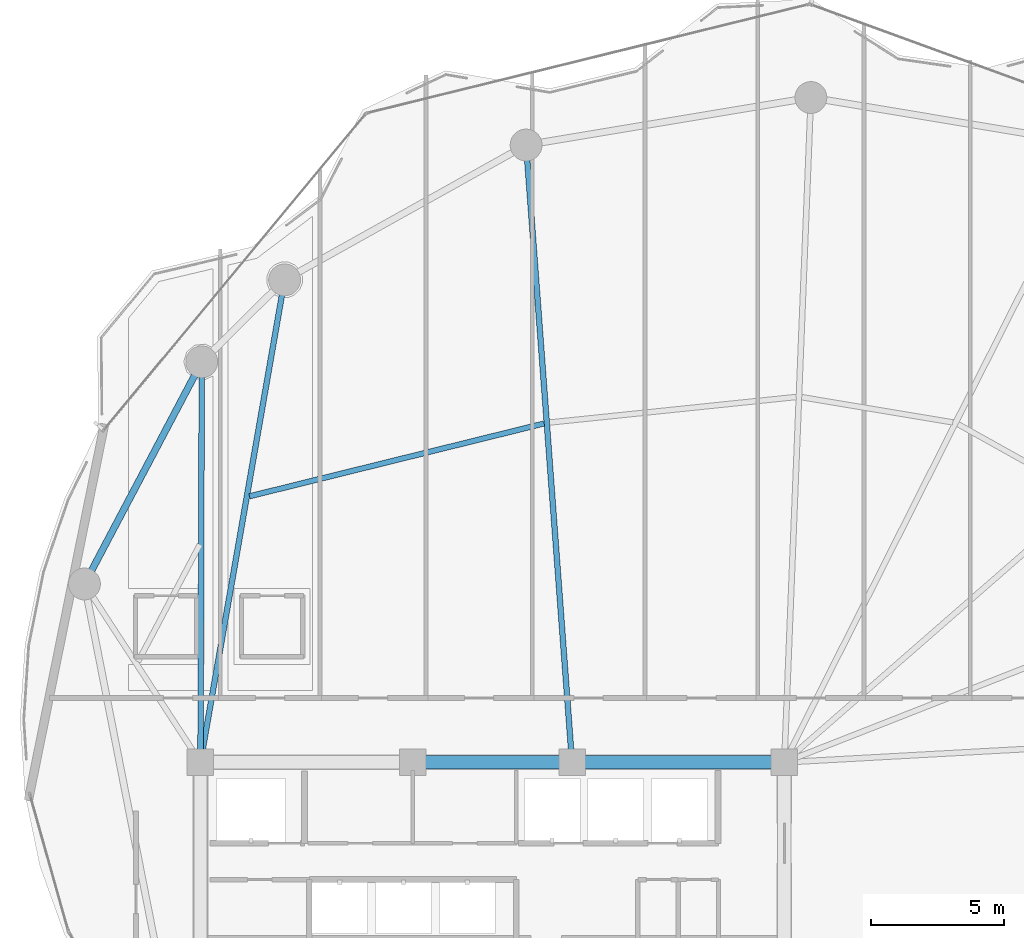
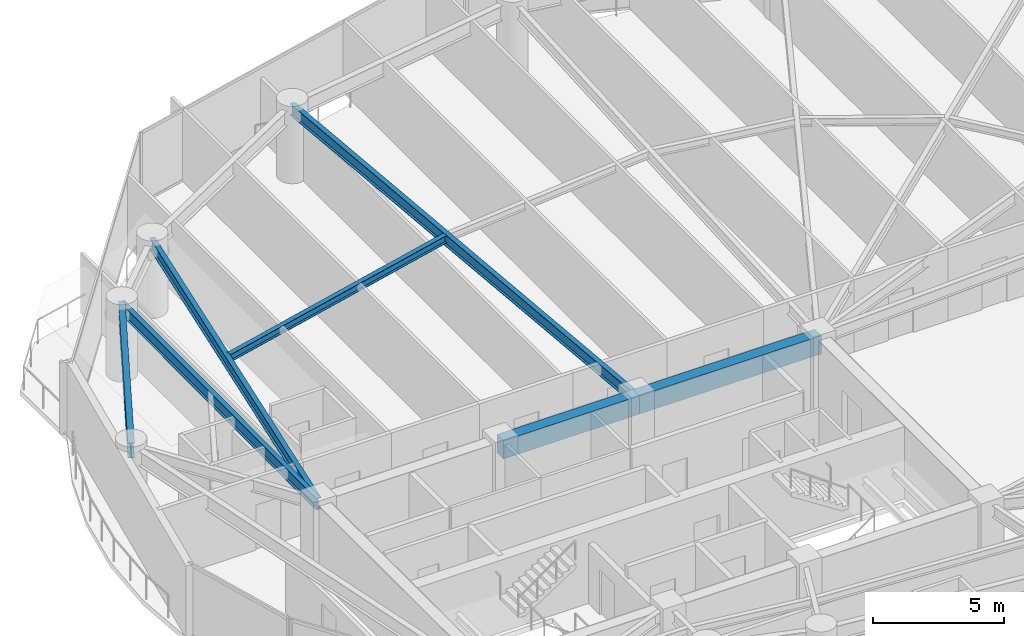
# One storey, part 8 of 28: 7 beams.
"""IFC4 building model written with IfcOpenShell, lengths in metres."""

import ifcopenshell
import ifcopenshell.guid

model = None  # the IFC model being written
_history = None  # IfcOwnerHistory: only IFC2X3 demands one
_inside = {}  # id of a spatial element -> (the spatial element, [elements in it])
_under = {}  # id of a project, library or spatial element -> (it, [spatial elements below it])
_declared = {}  # id of a project -> (the project, [libraries it declares])
_typed = {}  # id of a type object -> (the type object, [elements of that type])
_made_of = {}  # id of a material, layer set ... -> (it, [elements and type objects made of it])


def new_model(schema):
    """Start an empty IFC model of exactly this schema.

    Asked for "IFC4X3", IfcOpenShell would pick the latest addendum, in which some entities
    have other attributes; the version numbers below select the first issue.
    IFC2X3 requires an IfcOwnerHistory on every rooted entity: one is made here for all.
    """
    global model, _history
    if schema == "IFC4X3":
        model = ifcopenshell.file(schema_version=(4, 3, 0, 0))
    else:
        model = ifcopenshell.file(schema=schema)
    _inside.clear()
    _under.clear()
    _declared.clear()
    _typed.clear()
    _made_of.clear()
    _history = None
    if model.schema == "IFC2X3":
        org = make("IfcOrganization", Name="unknown")
        user = make(
            "IfcPersonAndOrganization",
            ThePerson=make("IfcPerson", FamilyName="unknown"),
            TheOrganization=org,
        )
        app = make(
            "IfcApplication",
            ApplicationDeveloper=org,
            Version="unknown",
            ApplicationFullName="unknown",
            ApplicationIdentifier="unknown",
        )
        _history = make(
            "IfcOwnerHistory",
            OwningUser=user,
            OwningApplication=app,
            ChangeAction="ADDED",
            CreationDate=0,
        )
    return model


def make(cls, **values):
    """One entity of the class cls with the attributes given. An attribute that is None is left unset."""
    return model.create_entity(
        cls, **{name: value for name, value in values.items() if value is not None}
    )


def rooted(cls, **values):
    """An entity with a GlobalId (a new one), such as an element, a storey or a relation."""
    return make(cls, GlobalId=ifcopenshell.guid.new(), OwnerHistory=_history, **values)


def si_unit(unit_type, name, prefix=None):
    """IfcSIUnit, for example si_unit("LENGTHUNIT", "METRE", prefix="MILLI")."""
    return make("IfcSIUnit", UnitType=unit_type, Prefix=prefix, Name=name)


def assignment(units):
    """IfcUnitAssignment: the units of a project."""
    return None if units is None else make("IfcUnitAssignment", Units=units)


def point(xyz):
    """IfcCartesianPoint."""
    return None if xyz is None else make("IfcCartesianPoint", Coordinates=xyz)


def direction(xyz):
    """IfcDirection."""
    return None if xyz is None else make("IfcDirection", DirectionRatios=xyz)


def frame(location, z_axis=None, x_axis=None):
    """IfcAxis2Placement3D, a coordinate frame: its origin and axes. An axis left out is left unset."""
    return make(
        "IfcAxis2Placement3D",
        Location=point(location),
        Axis=direction(z_axis),
        RefDirection=direction(x_axis),
    )


def frame_2d(location, x_axis=None):
    """IfcAxis2Placement2D, a coordinate frame in the plane: its origin and x axis."""
    return make(
        "IfcAxis2Placement2D", Location=point(location), RefDirection=direction(x_axis)
    )


def origin():
    """The frame at (0, 0, 0) with its axes left unset."""
    return frame((0.0, 0.0, 0.0))


def origin_2d():
    """The frame at (0, 0) in the plane with its x axis left unset."""
    return frame_2d((0.0, 0.0))


def place(relative_to, where):
    """IfcLocalPlacement: puts the frame where relative to a parent placement (None: the world)."""
    return make(
        "IfcLocalPlacement", PlacementRelTo=relative_to, RelativePlacement=where
    )


def context(
    kind, dimensions, precision=None, world=None, true_north=None, identifier=None
):
    """IfcGeometricRepresentationContext, for example the 3D "Model" context."""
    return make(
        "IfcGeometricRepresentationContext",
        ContextIdentifier=identifier,
        ContextType=kind,
        CoordinateSpaceDimension=dimensions,
        Precision=precision,
        WorldCoordinateSystem=world,
        TrueNorth=true_north,
    )


def subcontext(parent, identifier, kind, view, scale=None):
    """IfcGeometricRepresentationSubContext, for example "Body" below "Model"."""
    return make(
        "IfcGeometricRepresentationSubContext",
        ContextIdentifier=identifier,
        ContextType=kind,
        ParentContext=parent,
        TargetScale=scale,
        TargetView=view,
    )


def project(units=None, contexts=None):
    """IfcProject with its units and contexts."""
    return rooted(
        "IfcProject",
        Name="project",
        RepresentationContexts=contexts,
        UnitsInContext=assignment(units),
    )


def spatial(cls, under=None, at=None, **own):
    """A site, building, storey or space (cls), placed at a placement, below another one or the project."""
    s = rooted(cls, ObjectPlacement=at, **own)
    if under is not None:
        _under.setdefault(under.id(), (under, []))[1].append(s)
    return s


def profile(cls, at=None, kind="AREA", **sizes):
    """A parametric profile (cls). Its sizes go by their IFC names, for example OverallWidth=200.0."""
    return make(cls, ProfileType=kind, Position=at, **sizes)


def rectangle(**sizes):
    """IfcRectangleProfileDef."""
    return profile("IfcRectangleProfileDef", **sizes)


def i_section(**sizes):
    """IfcIShapeProfileDef."""
    return profile("IfcIShapeProfileDef", **sizes)


def extrude(swept, where, along, depth):
    """IfcExtrudedAreaSolid: the profile swept, set in the frame where, extruded along a direction by depth."""
    return make(
        "IfcExtrudedAreaSolid",
        SweptArea=swept,
        Position=where,
        ExtrudedDirection=direction(along),
        Depth=depth,
    )


def shape(context_of_items, identifier, shape_type, items):
    """IfcShapeRepresentation: the items that make up one representation, for example the "Body"."""
    return make(
        "IfcShapeRepresentation",
        ContextOfItems=context_of_items,
        RepresentationIdentifier=identifier,
        RepresentationType=shape_type,
        Items=items,
    )


def material(Name=None, Category=None):
    """IfcMaterial."""
    return make("IfcMaterial", Name=Name, Category=Category)


def material_profile(
    of_material, cross_section, Name=None, Category=None, Priority=None
):
    """IfcMaterialProfile: a cross section and its material."""
    return make(
        "IfcMaterialProfile",
        Name=Name,
        Material=of_material,
        Profile=cross_section,
        Priority=Priority,
        Category=Category,
    )


def profile_set(profiles, Name=None, composite=None):
    """IfcMaterialProfileSet."""
    return make(
        "IfcMaterialProfileSet",
        Name=Name,
        MaterialProfiles=profiles,
        CompositeProfile=composite,
    )


def made_of(thing, what):
    """Note that an element or type object is made of a material, layer set ...; save() writes the relation."""
    if what is not None:
        _made_of.setdefault(what.id(), (what, []))[1].append(thing)
    return thing


def type_object(cls, material=None, **own):
    """A type object (cls), such as IfcWallType, which elements share."""
    return made_of(rooted(cls, **own), material)


def element(
    cls,
    number,
    at=None,
    inside=None,
    cuts=None,
    type_object=None,
    material=None,
    context=None,
    identifier="Body",
    shape_type=None,
    held_by="IfcProductDefinitionShape",
    body=None,
    shapes=None,
    **own,
):
    """One element of the class cls, such as IfcWall. Its Tag is "e" and its number.

    at: its placement. inside: the storey or other place that contains it. cuts: it is an
    opening in that element (IfcRelVoidsElement). A single representation is given by context,
    identifier, shape_type and body (its items); several are given by shapes. held_by: the class
    of the entity that holds the representations. save() writes the other relations.
    """
    e = rooted(cls, Tag="e%d" % number, ObjectPlacement=at, **own)
    if body is not None:
        shapes = [shape(context, identifier, shape_type, body)]
    if shapes is not None:
        e.Representation = make(held_by, Representations=shapes)
    if inside is not None:
        _inside.setdefault(inside.id(), (inside, []))[1].append(e)
    if cuts is not None:
        rooted(
            "IfcRelVoidsElement", RelatingBuildingElement=cuts, RelatedOpeningElement=e
        )
    if type_object is not None:
        _typed.setdefault(type_object.id(), (type_object, []))[1].append(e)
    return made_of(e, material)


def aggregate(whole, parts):
    """IfcRelAggregates: a whole, such as a stair, and the parts it consists of."""
    return rooted("IfcRelAggregates", RelatingObject=whole, RelatedObjects=parts)


def save(model, path):
    """Write the relations noted so far, then the file.

    IfcRelAggregates (storeys below a building ...), IfcRelContainedInSpatialStructure (elements
    in a storey), IfcRelDefinesByType, IfcRelAssociatesMaterial and IfcRelDeclares: one each for
    every whole, place, type object, material and project.
    """
    for whole, parts in _under.values():
        aggregate(whole, parts)
    for where, things in _inside.values():
        rooted(
            "IfcRelContainedInSpatialStructure",
            RelatedElements=things,
            RelatingStructure=where,
        )
    for kind, things in _typed.values():
        rooted("IfcRelDefinesByType", RelatedObjects=things, RelatingType=kind)
    for what, things in _made_of.values():
        rooted("IfcRelAssociatesMaterial", RelatedObjects=things, RelatingMaterial=what)
    for by, libraries in _declared.values():
        rooted("IfcRelDeclares", RelatingContext=by, RelatedDefinitions=libraries)
    model.write(path)


model = new_model("IFC4")

# Units and contexts
model_context = context("Model", 3, precision=1e-05, world=origin(), true_north=direction((0.0, 1.0)))
body_context = subcontext(model_context, "Body", "Model", "MODEL_VIEW")
ifc_project = project(units=[si_unit("LENGTHUNIT", "METRE"), si_unit("AREAUNIT", "SQUARE_METRE"), si_unit("VOLUMEUNIT", "CUBIC_METRE"), si_unit("PLANEANGLEUNIT", "RADIAN"), si_unit("MASSUNIT", "GRAM", prefix="KILO")], contexts=[model_context])

# Site, building, storey
site_placement = place(None, origin())
site = spatial("IfcSite", under=ifc_project, at=site_placement, CompositionType="ELEMENT")
building_placement = place(site_placement, origin())
building = spatial("IfcBuilding", under=site, at=building_placement, Name="Kazevale Care Tower and Concert Hall", CompositionType="ELEMENT")
storey_placement = place(building_placement, frame((0.0, 0.0, 138.60009765625)))
storey = spatial("IfcBuildingStorey", under=building, at=storey_placement, Name="L36", CompositionType="ELEMENT", Elevation=138.60009765625)

# Beams
ifc_material_1 = material(Name="Concrete C60", Category="concrete")
ifc_material_profile_1 = material_profile(ifc_material_1, rectangle(XDim=0.5, YDim=0.85009765625, at=origin_2d()), Name="RC-B500x850")
ifc_profile_set_1 = profile_set([ifc_material_profile_1], Name="Concrete C60")
beam_type_1 = type_object("IfcBeamType", Name="Core Coupling Beam RC500x850", PredefinedType="LINTEL", material=ifc_profile_set_1)
beam_1_placement = place(storey_placement, frame((44.0, 36.39990234375, 2.934814453125), z_axis=(-1.0, 0.0, 0.0), x_axis=(0.0, -1.0, 0.0)))
element("IfcBeam", 1, at=beam_1_placement, inside=storey, type_object=beam_type_1, Name="beam:L36:coretie:5", PredefinedType="LINTEL", context=body_context, shape_type="SweptSolid", body=[
    extrude(rectangle(XDim=0.5, YDim=0.85009765625, at=origin_2d()), origin(), (0.0, 0.0, 1.0), 8.0),
])
beam_2_placement = place(storey_placement, frame((36.0, 36.39990234375, 2.934814453125), z_axis=(-1.0, 0.0, 0.0), x_axis=(0.0, -1.0, 0.0)))
element("IfcBeam", 2, at=beam_2_placement, inside=storey, type_object=beam_type_1, Name="beam:L36:coretie:6", PredefinedType="LINTEL", context=body_context, shape_type="SweptSolid", body=[
    extrude(rectangle(XDim=0.5, YDim=0.85009765625, at=origin_2d()), origin(), (0.0, 0.0, 1.0), 6.0),
])
ifc_material_2 = material(Name="Steel ASTM A572 Gr 50", Category="steel")
ifc_material_profile_2 = material_profile(ifc_material_2, i_section(OverallWidth=0.2119140625, OverallDepth=0.5439453125, WebThickness=0.01318359375, FlangeThickness=0.021240234375, at=origin_2d()), Name="W530x123")
ifc_profile_set_2 = profile_set([ifc_material_profile_2], Name="Steel ASTM A572 Gr 50")
beam_type_2 = type_object("IfcBeamType", Name="Radial Floor Girder W530x123", PredefinedType="BEAM", material=ifc_profile_set_2)
beam_3_placement = place(storey_placement, frame((36.0, 36.39990234375, 3.087890625), z_axis=(-0.074170876808, 0.997245547011, 0.0), x_axis=(-0.997245547011, -0.074170876808, 0.0)))
element("IfcBeam", 3, at=beam_3_placement, inside=storey, type_object=beam_type_2, Name="beam:L36:rad:06", PredefinedType="BEAM", context=body_context, shape_type="SweptSolid", body=[
    extrude(i_section(OverallWidth=0.2119140625, OverallDepth=0.5439453125, WebThickness=0.01318359375, FlangeThickness=0.021240234375, at=origin_2d()), origin(), (0.0, 0.0, 1.0), 23.32421875),
])
beam_4_placement = place(storey_placement, frame((22.0, 36.39990234375, 3.087890625), z_axis=(0.171769935245, 0.985137091651, 0.0), x_axis=(-0.985137091651, 0.171769935245, 0.0)))
element("IfcBeam", 4, at=beam_4_placement, inside=storey, type_object=beam_type_2, Name="beam:L36:rad:07", PredefinedType="BEAM", context=body_context, shape_type="SweptSolid", body=[
    extrude(i_section(OverallWidth=0.2119140625, OverallDepth=0.5439453125, WebThickness=0.01318359375, FlangeThickness=0.021240234375, at=origin_2d()), origin(), (0.0, 0.0, 1.0), 18.454345703125),
])
beam_5_placement = place(storey_placement, frame((22.0, 36.39990234375, 3.087890625), z_axis=(0.003316650851, 0.999994499898, 0.0), x_axis=(-0.999994499898, 0.003316650851, 0.0)))
element("IfcBeam", 5, at=beam_5_placement, inside=storey, type_object=beam_type_2, Name="beam:L36:rad:08", PredefinedType="BEAM", context=body_context, shape_type="SweptSolid", body=[
    extrude(i_section(OverallWidth=0.2119140625, OverallDepth=0.5439453125, WebThickness=0.01318359375, FlangeThickness=0.021240234375, at=origin_2d()), origin(), (0.0, 0.0, 1.0), 15.090087890625),
])
ifc_material_profile_3 = material_profile(ifc_material_2, i_section(OverallWidth=0.205078125, OverallDepth=0.35400390625, WebThickness=0.009521484375, FlangeThickness=0.016845703125, at=origin_2d()), Name="W360x79")
ifc_profile_set_3 = profile_set([ifc_material_profile_3], Name="Steel ASTM A572 Gr 50")
beam_type_3 = type_object("IfcBeamType", Name="Secondary Floor Joist W360x79", PredefinedType="JOIST", material=ifc_profile_set_3)
beam_6_placement = place(storey_placement, frame((34.947021484375, 49.16796875, 3.182861328125), z_axis=(-0.970789504014, -0.239932779954, 0.0), x_axis=(0.239932779954, -0.970789504014, 0.0)))
element("IfcBeam", 6, at=beam_6_placement, inside=storey, type_object=beam_type_3, Name="beam:L36:joist:06", PredefinedType="JOIST", context=body_context, shape_type="SweptSolid", body=[
    extrude(i_section(OverallWidth=0.205078125, OverallDepth=0.35400390625, WebThickness=0.009521484375, FlangeThickness=0.016845703125, at=origin_2d()), origin(), (0.0, 0.0, 1.0), 11.43603515625),
])
ifc_material_profile_4 = material_profile(ifc_material_2, i_section(OverallWidth=0.256103515625, OverallDepth=0.693115234375, WebThickness=0.014404296875, FlangeThickness=0.023681640625, at=origin_2d()), Name="W690x170")
ifc_profile_set_4 = profile_set([ifc_material_profile_4], Name="Steel ASTM A572 Gr 50")
beam_type_4 = type_object("IfcBeamType", Name="Waist Ring Beam W690x170", PredefinedType="BEAM", material=ifc_profile_set_4)
beam_7_placement = place(storey_placement, frame((22.050048828125, 51.489990234375, 3.013427734375), z_axis=(-0.466984438127, -0.884265533959, 0.0), x_axis=(0.884265533959, -0.466984438127, 0.0)))
element("IfcBeam", 7, at=beam_7_placement, inside=storey, type_object=beam_type_4, Name="beam:L36:ring:08", PredefinedType="BEAM", context=body_context, shape_type="SweptSolid", body=[
    extrude(i_section(OverallWidth=0.256103515625, OverallDepth=0.693115234375, WebThickness=0.014404296875, FlangeThickness=0.023681640625, at=origin_2d()), origin(), (0.0, 0.0, 1.0), 9.46533203125),
])

save(model, "model.ifc")
